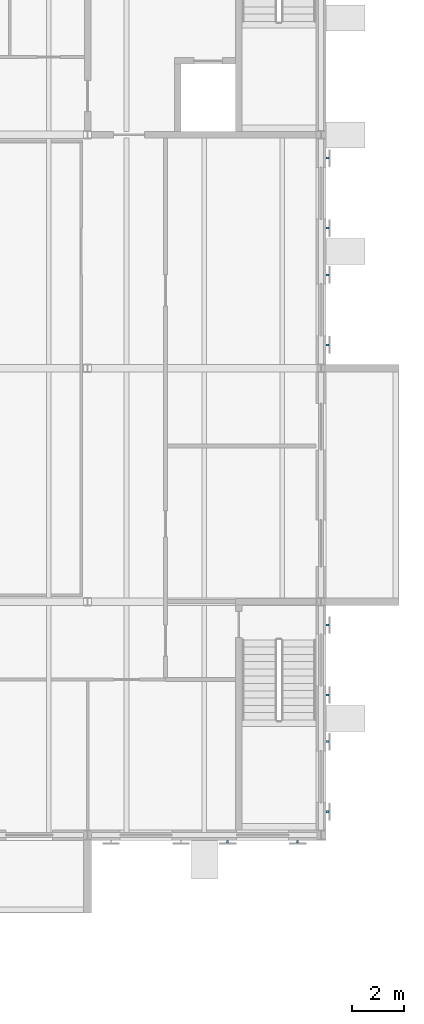
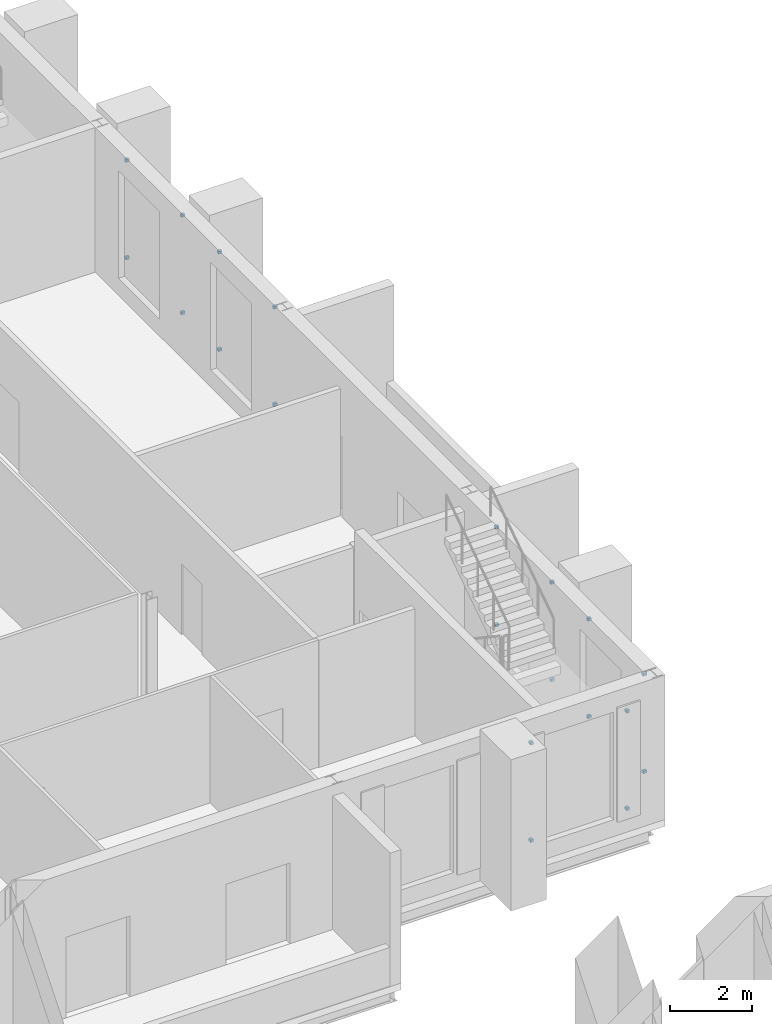
# One storey, part 106 of 134: 20 discrete accessories.
"""IFC4 building model written with IfcOpenShell, lengths in metres."""

from ifc_helpers import new_model, si_unit, direction, frame, origin, origin_2d, place, context, subcontext, project, spatial, rectangle, extrude, material, type_object, element, save


model = new_model("IFC4")

# Units and contexts
model_context = context("Model", 3, precision=1e-05, world=origin(), true_north=direction((0.0, 1.0)))
body_context = subcontext(model_context, "Body", "Model", "MODEL_VIEW")
ifc_project = project(units=[si_unit("LENGTHUNIT", "METRE"), si_unit("AREAUNIT", "SQUARE_METRE"), si_unit("VOLUMEUNIT", "CUBIC_METRE"), si_unit("PLANEANGLEUNIT", "RADIAN"), si_unit("MASSUNIT", "GRAM", prefix="KILO")], contexts=[model_context])

# Site, building, storey
site_placement = place(None, origin())
site = spatial("IfcSite", under=ifc_project, at=site_placement, CompositionType="ELEMENT")
building_placement = place(site_placement, origin())
building = spatial("IfcBuilding", under=site, at=building_placement, Name="Golden Quay Civic Hall", CompositionType="ELEMENT")
storey_placement = place(building_placement, frame((0.0, 0.0, 5.39990234375)))
storey = spatial("IfcBuildingStorey", under=building, at=storey_placement, Name="L01", CompositionType="ELEMENT", Elevation=5.39990234375)

# Discrete accessories
ifc_material = material(Name="Steel S355", Category="steel")
discrete_accessory_type = type_object("IfcDiscreteAccessoryType", Name="Steel shutter bracket", PredefinedType="BRACKET", material=ifc_material)
for number, where, z_axis, x_axis, name in (
    (1, (167.39990234375, 62.75, 0.7099609375), (0.0, 0.0, 1.0), (1.0, 0.0, 0.0), "Shutter bracket L01-S517a-1"),
    (2, (167.39990234375, 62.75, 3.610107421875), (0.0, 0.0, 1.0), (1.0, 0.0, 0.0), "Shutter bracket L01-S517a-2"),
    (3, (170.10009765625, 62.75, 0.7099609375), (0.0, 0.0, 1.0), (1.0, 0.0, 0.0), "Shutter bracket L01-S517b-1"),
    (4, (170.10009765625, 62.75, 3.610107421875), (0.0, 0.0, 1.0), (1.0, 0.0, 0.0), "Shutter bracket L01-S517b-2"),
):
    element("IfcDiscreteAccessory", number, at=place(storey_placement, frame(where, z_axis=z_axis, x_axis=x_axis)), inside=storey, type_object=discrete_accessory_type, Name=name, PredefinedType="BRACKET", context=body_context, shape_type="SweptSolid", body=[
        extrude(rectangle(XDim=0.080078125, YDim=0.10009765625, at=origin_2d()), origin(), (0.0, 0.0, 1.0), 0.080078125),
    ])
for number, where, z_axis, x_axis, name in (
    (5, (171.25, 63.89990234375, 0.7099609375), (0.0, 0.0, 1.0), (1.0, 0.0, 0.0), "Shutter bracket L01-E22a-1"),
    (6, (171.25, 63.89990234375, 3.610107421875), (0.0, 0.0, 1.0), (1.0, 0.0, 0.0), "Shutter bracket L01-E22a-2"),
    (7, (171.25, 66.60009765625, 0.7099609375), (0.0, 0.0, 1.0), (1.0, 0.0, 0.0), "Shutter bracket L01-E22b-1"),
    (8, (171.25, 66.60009765625, 3.610107421875), (0.0, 0.0, 1.0), (1.0, 0.0, 0.0), "Shutter bracket L01-E22b-2"),
    (9, (171.25, 68.39990234375, 0.7099609375), (0.0, 0.0, 1.0), (1.0, 0.0, 0.0), "Shutter bracket L01-E67a-1"),
    (10, (171.25, 68.39990234375, 3.610107421875), (0.0, 0.0, 1.0), (1.0, 0.0, 0.0), "Shutter bracket L01-E67a-2"),
    (11, (171.25, 71.10009765625, 0.7099609375), (0.0, 0.0, 1.0), (1.0, 0.0, 0.0), "Shutter bracket L01-E67b-1"),
    (12, (171.25, 71.10009765625, 3.610107421875), (0.0, 0.0, 1.0), (1.0, 0.0, 0.0), "Shutter bracket L01-E67b-2"),
    (13, (171.25, 81.89990234375, 0.7099609375), (0.0, 0.0, 1.0), (1.0, 0.0, 0.0), "Shutter bracket L01-E202a-1"),
    (14, (171.25, 81.89990234375, 3.610107421875), (0.0, 0.0, 1.0), (1.0, 0.0, 0.0), "Shutter bracket L01-E202a-2"),
    (15, (171.25, 84.60009765625, 0.7099609375), (0.0, 0.0, 1.0), (1.0, 0.0, 0.0), "Shutter bracket L01-E202b-1"),
    (16, (171.25, 84.60009765625, 3.610107421875), (0.0, 0.0, 1.0), (1.0, 0.0, 0.0), "Shutter bracket L01-E202b-2"),
    (17, (171.25, 86.39990234375, 0.7099609375), (0.0, 0.0, 1.0), (1.0, 0.0, 0.0), "Shutter bracket L01-E247a-1"),
    (18, (171.25, 86.39990234375, 3.610107421875), (0.0, 0.0, 1.0), (1.0, 0.0, 0.0), "Shutter bracket L01-E247a-2"),
    (19, (171.25, 89.10009765625, 0.7099609375), (0.0, 0.0, 1.0), (1.0, 0.0, 0.0), "Shutter bracket L01-E247b-1"),
    (20, (171.25, 89.10009765625, 3.610107421875), (0.0, 0.0, 1.0), (1.0, 0.0, 0.0), "Shutter bracket L01-E247b-2"),
):
    element("IfcDiscreteAccessory", number, at=place(storey_placement, frame(where, z_axis=z_axis, x_axis=x_axis)), inside=storey, type_object=discrete_accessory_type, Name=name, PredefinedType="BRACKET", context=body_context, shape_type="SweptSolid", body=[
        extrude(rectangle(XDim=0.10009765625, YDim=0.080078125, at=origin_2d()), origin(), (0.0, 0.0, 1.0), 0.080078125),
    ])

save(model, "model.ifc")
